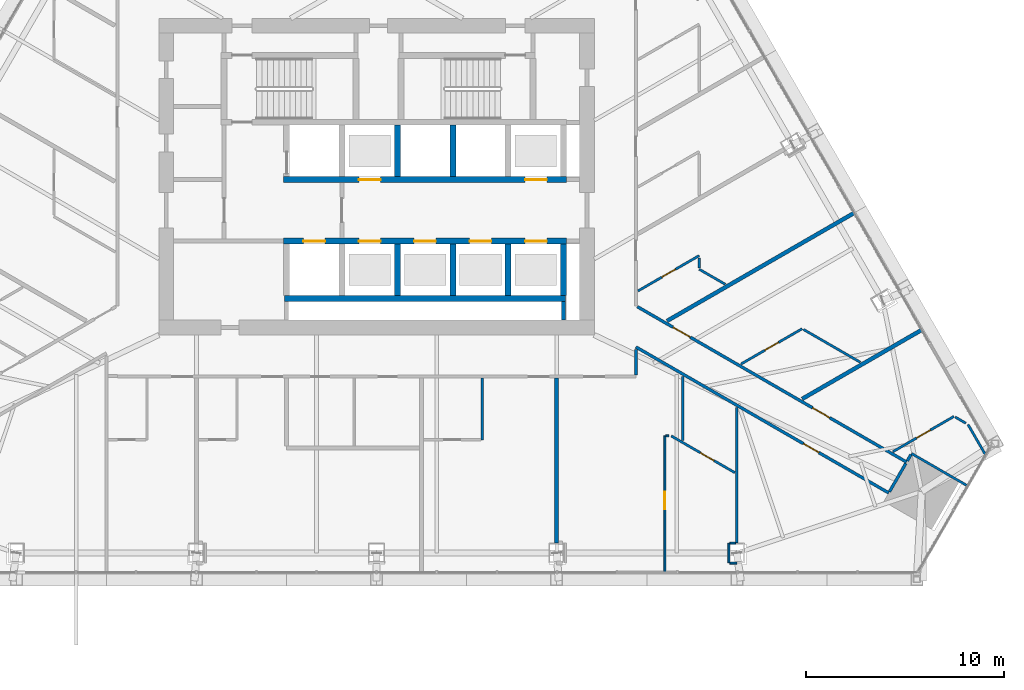
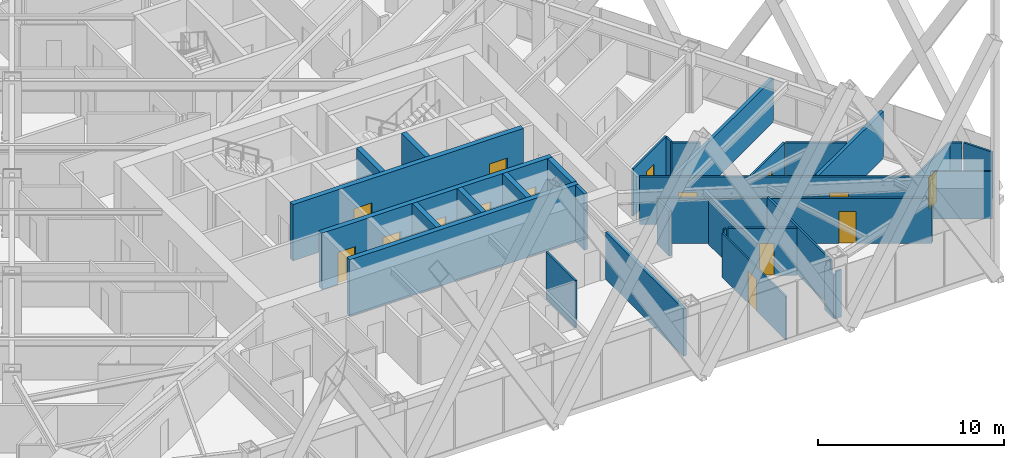
# One storey, part 17 of 26: 36 walls, 15 doors, 15 openings.
"""IFC4 building model written with IfcOpenShell, lengths in metres."""

from ifc_helpers import new_model, si_unit, direction, frame, frame_2d, origin, place, context, subcontext, project, spatial, rectangle, extrude, material, layer, layer_set, type_object, element, fill, save


model = new_model("IFC4")

# Units and contexts
model_context = context("Model", 3, precision=1e-05, world=origin(), true_north=direction((0.0, 1.0)))
body_context = subcontext(model_context, "Body", "Model", "MODEL_VIEW")
ifc_project = project(units=[si_unit("LENGTHUNIT", "METRE"), si_unit("AREAUNIT", "SQUARE_METRE"), si_unit("VOLUMEUNIT", "CUBIC_METRE"), si_unit("PLANEANGLEUNIT", "RADIAN"), si_unit("MASSUNIT", "GRAM", prefix="KILO")], contexts=[model_context])

# Site, building, storey
site_placement = place(None, origin())
site = spatial("IfcSite", under=ifc_project, at=site_placement, CompositionType="ELEMENT")
building_placement = place(site_placement, origin())
building = spatial("IfcBuilding", under=site, at=building_placement, Name="Firuza Gate Tower and Library", CompositionType="ELEMENT")
storey_placement = place(building_placement, frame((0.0, 0.0, 155.800048828125)))
storey = spatial("IfcBuildingStorey", under=building, at=storey_placement, Name="L35", CompositionType="ELEMENT", Elevation=155.800048828125)

# Walls
ifc_material_1 = material(Name="Plasterboard on steel studs", Category="steel")
ifc_layer_1 = layer(ifc_material_1, 0.199951171875)
ifc_layer_set_1 = layer_set([ifc_layer_1], Name="Core partition 200 EI 120")
wall_type_1 = type_object("IfcWallType", Name="Core partition 200 EI 120", PredefinedType="PARTITIONING", material=ifc_layer_set_1)
wall_1_placement = place(storey_placement, frame((84.449951171875, 67.75, 0.0), z_axis=(0.0, 0.0, 1.0), x_axis=(0.0, 1.0, 0.0)))
element("IfcWall", 1, at=wall_1_placement, inside=storey, type_object=wall_type_1, Name="Core partition L35 14", PredefinedType="PARTITIONING", context=body_context, shape_type="SweptSolid", body=[
    extrude(rectangle(XDim=0.949951171875, YDim=0.199951171875, at=frame_2d((0.47509765625, 0.0))), origin(), (0.0, 0.0, 1.0), 3.699951171875),
])
ifc_material_2 = material(Name="Concrete C80/95", Category="concrete")
ifc_layer_2 = layer(ifc_material_2, 0.300048828125)
ifc_layer_set_2 = layer_set([ifc_layer_2], Name="Core wall 300 C80/95")
wall_type_2 = type_object("IfcWallType", Name="Core wall 300 C80/95", PredefinedType="SHEAR", material=ifc_layer_set_2)
wall_2_placement = place(storey_placement, frame((70.35009765625, 68.85009765625, 0.0), z_axis=(0.0, 0.0, 1.0), x_axis=(1.0, 0.0, 0.0)))
element("IfcWall", 2, at=wall_2_placement, inside=storey, type_object=wall_type_2, Name="Core wall L35 5", PredefinedType="SHEAR", context=body_context, shape_type="SweptSolid", body=[
    extrude(rectangle(XDim=14.199951171875, YDim=0.300048828125, at=frame_2d((7.10009765625, 0.0))), origin(), (0.0, 0.0, 1.0), 3.699951171875),
])

# Wall, openings, doors
wall_3_placement = place(storey_placement, frame((70.300048828125, 71.75, 0.0), z_axis=(0.0, 0.0, 1.0), x_axis=(1.0, 0.0, 0.0)))
wall_3 = element("IfcWall", 3, at=wall_3_placement, inside=storey, type_object=wall_type_2, Name="Core wall L35 6", PredefinedType="SHEAR", context=body_context, shape_type="SweptSolid", body=[
    extrude(rectangle(XDim=14.300048828125, YDim=0.300048828125, at=frame_2d((7.14990234375, 0.0))), origin(), (0.0, 0.0, 1.0), 3.699951171875),
])
opening_1_placement = place(wall_3_placement, frame((1.0, 0.0, 0.0)))
opening_1 = element("IfcOpeningElement", 4, at=opening_1_placement, cuts=wall_3, Name="Opening LD-FF1-L35", PredefinedType="OPENING", context=body_context, shape_type="SweptSolid", body=[
    extrude(rectangle(XDim=1.10009765625, YDim=2.10009765625, at=frame_2d((0.550048828125, 1.050048828125))), frame((0.0, 0.16015625, 0.0), z_axis=(0.0, -1.0, 0.0), x_axis=(1.0, 0.0, 0.0)), (0.0, 0.0, 1.0), 0.320068359375),
])
opening_2_placement = place(wall_3_placement, frame((3.800048828125, 0.0, 0.0)))
opening_2 = element("IfcOpeningElement", 5, at=opening_2_placement, cuts=wall_3, Name="Opening LD-MR1-L35", PredefinedType="OPENING", context=body_context, shape_type="SweptSolid", body=[
    extrude(rectangle(XDim=1.10009765625, YDim=2.10009765625, at=frame_2d((0.550048828125, 1.050048828125))), frame((0.0, 0.16015625, 0.0), z_axis=(0.0, -1.0, 0.0), x_axis=(1.0, 0.0, 0.0)), (0.0, 0.0, 1.0), 0.320068359375),
])
opening_3_placement = place(wall_3_placement, frame((6.60009765625, 0.0, 0.0)))
opening_3 = element("IfcOpeningElement", 6, at=opening_3_placement, cuts=wall_3, Name="Opening LD-MR2-L35", PredefinedType="OPENING", context=body_context, shape_type="SweptSolid", body=[
    extrude(rectangle(XDim=1.10009765625, YDim=2.10009765625, at=frame_2d((0.550048828125, 1.050048828125))), frame((0.0, 0.16015625, 0.0), z_axis=(0.0, -1.0, 0.0), x_axis=(1.0, 0.0, 0.0)), (0.0, 0.0, 1.0), 0.320068359375),
])
opening_4_placement = place(wall_3_placement, frame((9.39990234375, 0.0, 0.0)))
opening_4 = element("IfcOpeningElement", 7, at=opening_4_placement, cuts=wall_3, Name="Opening LD-MR3-L35", PredefinedType="OPENING", context=body_context, shape_type="SweptSolid", body=[
    extrude(rectangle(XDim=1.10009765625, YDim=2.10009765625, at=frame_2d((0.550048828125, 1.050048828125))), frame((0.0, 0.16015625, 0.0), z_axis=(0.0, -1.0, 0.0), x_axis=(1.0, 0.0, 0.0)), (0.0, 0.0, 1.0), 0.320068359375),
])
opening_5_placement = place(wall_3_placement, frame((12.199951171875, 0.0, 0.0)))
opening_5 = element("IfcOpeningElement", 8, at=opening_5_placement, cuts=wall_3, Name="Opening LD-MR5-L35", PredefinedType="OPENING", context=body_context, shape_type="SweptSolid", body=[
    extrude(rectangle(XDim=1.10009765625, YDim=2.10009765625, at=frame_2d((0.550048828125, 1.050048828125))), frame((0.0, 0.16015625, 0.0), z_axis=(0.0, -1.0, 0.0), x_axis=(1.0, 0.0, 0.0)), (0.0, 0.0, 1.0), 0.320068359375),
])
ifc_material_3 = material(Name="Stainless steel", Category="steel")
door_type_1 = type_object("IfcDoorType", Name="Lift landing door 1100x2100", OperationType="DOUBLE_DOOR_SLIDING", PredefinedType="DOOR", material=ifc_material_3)
door_1_placement = place(opening_1_placement, origin())
door_1 = element("IfcDoor", 9, at=door_1_placement, inside=storey, type_object=door_type_1, Name="Landing door FF1 L35", OperationType="DOUBLE_DOOR_SLIDING", OverallHeight=2.10009765625, OverallWidth=1.10009765625, PredefinedType="DOOR", context=body_context, shape_type="SweptSolid", body=[
    extrude(rectangle(XDim=1.10009765625, YDim=2.10009765625, at=frame_2d((0.550048828125, 1.050048828125))), frame((0.0, 0.02490234375, 0.0), z_axis=(0.0, -1.0, 0.0), x_axis=(1.0, 0.0, 0.0)), (0.0, 0.0, 1.0), 0.050048828125),
])
fill(opening_1, door_1)
door_2_placement = place(opening_2_placement, origin())
door_2 = element("IfcDoor", 10, at=door_2_placement, inside=storey, type_object=door_type_1, Name="Landing door MR1 L35", OperationType="DOUBLE_DOOR_SLIDING", OverallHeight=2.10009765625, OverallWidth=1.10009765625, PredefinedType="DOOR", context=body_context, shape_type="SweptSolid", body=[
    extrude(rectangle(XDim=1.10009765625, YDim=2.10009765625, at=frame_2d((0.550048828125, 1.050048828125))), frame((0.0, 0.02490234375, 0.0), z_axis=(0.0, -1.0, 0.0), x_axis=(1.0, 0.0, 0.0)), (0.0, 0.0, 1.0), 0.050048828125),
])
fill(opening_2, door_2)
door_3_placement = place(opening_3_placement, origin())
door_3 = element("IfcDoor", 11, at=door_3_placement, inside=storey, type_object=door_type_1, Name="Landing door MR2 L35", OperationType="DOUBLE_DOOR_SLIDING", OverallHeight=2.10009765625, OverallWidth=1.10009765625, PredefinedType="DOOR", context=body_context, shape_type="SweptSolid", body=[
    extrude(rectangle(XDim=1.10009765625, YDim=2.10009765625, at=frame_2d((0.550048828125, 1.050048828125))), frame((0.0, 0.02490234375, 0.0), z_axis=(0.0, -1.0, 0.0), x_axis=(1.0, 0.0, 0.0)), (0.0, 0.0, 1.0), 0.050048828125),
])
fill(opening_3, door_3)
door_4_placement = place(opening_4_placement, origin())
door_4 = element("IfcDoor", 12, at=door_4_placement, inside=storey, type_object=door_type_1, Name="Landing door MR3 L35", OperationType="DOUBLE_DOOR_SLIDING", OverallHeight=2.10009765625, OverallWidth=1.10009765625, PredefinedType="DOOR", context=body_context, shape_type="SweptSolid", body=[
    extrude(rectangle(XDim=1.10009765625, YDim=2.10009765625, at=frame_2d((0.550048828125, 1.050048828125))), frame((0.0, 0.02490234375, 0.0), z_axis=(0.0, -1.0, 0.0), x_axis=(1.0, 0.0, 0.0)), (0.0, 0.0, 1.0), 0.050048828125),
])
fill(opening_4, door_4)
door_5_placement = place(opening_5_placement, origin())
door_5 = element("IfcDoor", 13, at=door_5_placement, inside=storey, type_object=door_type_1, Name="Landing door MR5 L35", OperationType="DOUBLE_DOOR_SLIDING", OverallHeight=2.10009765625, OverallWidth=1.10009765625, PredefinedType="DOOR", context=body_context, shape_type="SweptSolid", body=[
    extrude(rectangle(XDim=1.10009765625, YDim=2.10009765625, at=frame_2d((0.550048828125, 1.050048828125))), frame((0.0, 0.02490234375, 0.0), z_axis=(0.0, -1.0, 0.0), x_axis=(1.0, 0.0, 0.0)), (0.0, 0.0, 1.0), 0.050048828125),
])
fill(opening_5, door_5)

wall_4_placement = place(storey_placement, frame((70.300048828125, 74.85009765625, 0.0), z_axis=(0.0, 0.0, 1.0), x_axis=(1.0, 0.0, 0.0)))
wall_4 = element("IfcWall", 14, at=wall_4_placement, inside=storey, type_object=wall_type_2, Name="Core wall L35 7", PredefinedType="SHEAR", context=body_context, shape_type="SweptSolid", body=[
    extrude(rectangle(XDim=14.300048828125, YDim=0.300048828125, at=frame_2d((7.14990234375, 0.0))), origin(), (0.0, 0.0, 1.0), 3.699951171875),
])
opening_6_placement = place(wall_4_placement, frame((3.800048828125, 0.0, 0.0)))
opening_6 = element("IfcOpeningElement", 15, at=opening_6_placement, cuts=wall_4, Name="Opening LD-MR4-L35", PredefinedType="OPENING", context=body_context, shape_type="SweptSolid", body=[
    extrude(rectangle(XDim=1.10009765625, YDim=2.10009765625, at=frame_2d((0.550048828125, 1.050048828125))), frame((0.0, 0.16015625, 0.0), z_axis=(0.0, -1.0, 0.0), x_axis=(1.0, 0.0, 0.0)), (0.0, 0.0, 1.0), 0.320068359375),
])
opening_7_placement = place(wall_4_placement, frame((12.199951171875, 0.0, 0.0)))
opening_7 = element("IfcOpeningElement", 16, at=opening_7_placement, cuts=wall_4, Name="Opening LD-MR6-L35", PredefinedType="OPENING", context=body_context, shape_type="SweptSolid", body=[
    extrude(rectangle(XDim=1.10009765625, YDim=2.10009765625, at=frame_2d((0.550048828125, 1.050048828125))), frame((0.0, 0.16015625, 0.0), z_axis=(0.0, -1.0, 0.0), x_axis=(1.0, 0.0, 0.0)), (0.0, 0.0, 1.0), 0.320068359375),
])
door_6_placement = place(opening_6_placement, origin())
door_6 = element("IfcDoor", 17, at=door_6_placement, inside=storey, type_object=door_type_1, Name="Landing door MR4 L35", OperationType="DOUBLE_DOOR_SLIDING", OverallHeight=2.10009765625, OverallWidth=1.10009765625, PredefinedType="DOOR", context=body_context, shape_type="SweptSolid", body=[
    extrude(rectangle(XDim=1.10009765625, YDim=2.10009765625, at=frame_2d((0.550048828125, 1.050048828125))), frame((0.0, 0.02490234375, 0.0), z_axis=(0.0, -1.0, 0.0), x_axis=(1.0, 0.0, 0.0)), (0.0, 0.0, 1.0), 0.050048828125),
])
fill(opening_6, door_6)
door_7_placement = place(opening_7_placement, origin())
door_7 = element("IfcDoor", 18, at=door_7_placement, inside=storey, type_object=door_type_1, Name="Landing door MR6 L35", OperationType="DOUBLE_DOOR_SLIDING", OverallHeight=2.10009765625, OverallWidth=1.10009765625, PredefinedType="DOOR", context=body_context, shape_type="SweptSolid", body=[
    extrude(rectangle(XDim=1.10009765625, YDim=2.10009765625, at=frame_2d((0.550048828125, 1.050048828125))), frame((0.0, 0.02490234375, 0.0), z_axis=(0.0, -1.0, 0.0), x_axis=(1.0, 0.0, 0.0)), (0.0, 0.0, 1.0), 0.050048828125),
])
fill(opening_7, door_7)

# Walls
for number, where, z_axis, x_axis, name in (
    (19, (76.050048828125, 69.0, 0.0), (0.0, 0.0, 1.0), (0.0, 1.0, 0.0), "Core wall L35 12"),
    (20, (76.050048828125, 75.0, 0.0), (0.0, 0.0, 1.0), (0.0, 1.0, 0.0), "Core wall L35 13"),
    (21, (78.85009765625, 69.0, 0.0), (0.0, 0.0, 1.0), (0.0, 1.0, 0.0), "Core wall L35 14"),
    (22, (78.85009765625, 75.0, 0.0), (0.0, 0.0, 1.0), (0.0, 1.0, 0.0), "Core wall L35 15"),
    (23, (81.64990234375, 69.0, 0.0), (0.0, 0.0, 1.0), (0.0, 1.0, 0.0), "Core wall L35 16"),
    (24, (84.449951171875, 69.0, 0.0), (0.0, 0.0, 1.0), (0.0, 1.0, 0.0), "Core wall L35 18"),
):
    element("IfcWall", number, at=place(storey_placement, frame(where, z_axis=z_axis, x_axis=x_axis)), inside=storey, type_object=wall_type_2, Name=name, PredefinedType="SHEAR", context=body_context, shape_type="SweptSolid", body=[
        extrude(rectangle(XDim=2.60009765625, YDim=0.300048828125, at=frame_2d((1.300048828125, 0.0))), origin(), (0.0, 0.0, 1.0), 3.699951171875),
    ])
ifc_material_4 = material(Name="Gypsum board partition")
ifc_layer_3 = layer(ifc_material_4, 0.14990234375)
ifc_layer_set_3 = layer_set([ifc_layer_3], Name="Corridor wall 150 double board on steel studs")
wall_type_3 = type_object("IfcWallType", Name="Corridor wall 150 double board on steel studs", PredefinedType="PARTITIONING", material=ifc_layer_set_3)
wall_5_placement = place(storey_placement, frame((100.916748046875, 59.0849609375, 0.0), z_axis=(0.0, 0.0, 1.0), x_axis=(0.499991515992, 0.866030301974, 0.0)))
element("IfcWall", 25, at=wall_5_placement, inside=storey, type_object=wall_type_3, Name="f:L35:w049", PredefinedType="PARTITIONING", context=body_context, shape_type="SweptSolid", body=[
    extrude(rectangle(XDim=1.6494140625, YDim=0.14990234375, at=frame_2d((0.82470703125, 0.0))), origin(), (0.0, 0.0, 1.0), 2.947021484375),
])
wall_6_placement = place(storey_placement, frame((88.10009765625, 64.97509765625, 0.0), z_axis=(0.0, 0.0, 1.0), x_axis=(0.0, 1.0, 0.0)))
element("IfcWall", 26, at=wall_6_placement, inside=storey, type_object=wall_type_3, Name="f:L35:w059", PredefinedType="PARTITIONING", context=body_context, shape_type="SweptSolid", body=[
    extrude(rectangle(XDim=1.285888671875, YDim=0.14990234375, at=frame_2d((0.64306640625, 0.0))), origin(), (0.0, 0.0, 1.0), 2.947021484375),
])

# Wall, openings, doors
wall_7_placement = place(storey_placement, frame((88.175048828125, 68.4326171875, 0.0), z_axis=(0.0, 0.0, 1.0), x_axis=(0.866028999927, -0.499993771247, 0.0)))
wall_7 = element("IfcWall", 27, at=wall_7_placement, inside=storey, type_object=wall_type_3, Name="f:L35:w106", PredefinedType="PARTITIONING", context=body_context, shape_type="SweptSolid", body=[
    extrude(rectangle(XDim=15.708251953125, YDim=0.14990234375, at=frame_2d((7.85400390625, 0.0))), origin(), (0.0, 0.0, 1.0), 3.099853515625),
])
opening_8_placement = place(wall_7_placement, frame((2.0859375, 0.0, 0.0)))
opening_8 = element("IfcOpeningElement", 28, at=opening_8_placement, cuts=wall_7, Name="Opening L35-45", PredefinedType="OPENING", context=body_context, shape_type="SweptSolid", body=[
    extrude(rectangle(XDim=1.0, YDim=2.10009765625, at=frame_2d((0.5, 1.050048828125))), frame((0.0, 0.0849609375, 0.0), z_axis=(0.0, -1.0, 0.0), x_axis=(1.0, 0.0, 0.0)), (0.0, 0.0, 1.0), 0.169921875),
])
opening_9_placement = place(wall_7_placement, frame((10.221923828125, 0.0, 0.0)))
opening_9 = element("IfcOpeningElement", 29, at=opening_9_placement, cuts=wall_7, Name="Opening L35-46", PredefinedType="OPENING", context=body_context, shape_type="SweptSolid", body=[
    extrude(rectangle(XDim=1.0, YDim=2.10009765625, at=frame_2d((0.5, 1.050048828125))), frame((0.0, 0.0849609375, 0.0), z_axis=(0.0, -1.0, 0.0), x_axis=(1.0, 0.0, 0.0)), (0.0, 0.0, 1.0), 0.169921875),
])
ifc_material_5 = material(Name="Steel door and timber leaf", Category="steel")
door_type_2 = type_object("IfcDoorType", Name="Fire door 1000 x 2100 steel frame, timber leaf", OperationType="NOTDEFINED", PredefinedType="DOOR", material=ifc_material_5)
door_8_placement = place(opening_8_placement, origin())
door_8 = element("IfcDoor", 30, at=door_8_placement, inside=storey, type_object=door_type_2, Name="f:L35:d045", OperationType="SINGLE_SWING_LEFT", OverallHeight=2.10009765625, OverallWidth=1.0, PredefinedType="DOOR", context=body_context, shape_type="SweptSolid", body=[
    extrude(rectangle(XDim=1.0, YDim=2.10009765625, at=frame_2d((0.5, 1.050048828125))), frame((0.0, 0.02490234375, 0.0), z_axis=(0.0, -1.0, 0.0), x_axis=(1.0, 0.0, 0.0)), (0.0, 0.0, 1.0), 0.050048828125),
])
fill(opening_8, door_8)
door_9_placement = place(opening_9_placement, origin())
door_9 = element("IfcDoor", 31, at=door_9_placement, inside=storey, type_object=door_type_2, Name="f:L35:d046", OperationType="SINGLE_SWING_LEFT", OverallHeight=2.10009765625, OverallWidth=1.0, PredefinedType="DOOR", context=body_context, shape_type="SweptSolid", body=[
    extrude(rectangle(XDim=1.0, YDim=2.10009765625, at=frame_2d((0.5, 1.050048828125))), frame((0.0, 0.02490234375, 0.0), z_axis=(0.0, -1.0, 0.0), x_axis=(1.0, 0.0, 0.0)), (0.0, 0.0, 1.0), 0.050048828125),
])
fill(opening_9, door_9)

# Wall, opening, door
wall_8_placement = place(storey_placement, frame((100.87841796875, 59.02001953125, 0.0), z_axis=(0.0, 0.0, 1.0), x_axis=(-0.866029079904, 0.49999363272, 0.0)))
wall_8 = element("IfcWall", 32, at=wall_8_placement, inside=storey, type_object=wall_type_3, Name="f:L35:w109", PredefinedType="PARTITIONING", context=body_context, shape_type="SweptSolid", body=[
    extrude(rectangle(XDim=14.755126953125, YDim=0.14990234375, at=frame_2d((7.37744140625, 0.0))), origin(), (0.0, 0.0, 1.0), 2.947021484375),
])
opening_10_placement = place(wall_8_placement, frame((4.08447265625, 0.0, 0.0)))
opening_10 = element("IfcOpeningElement", 33, at=opening_10_placement, cuts=wall_8, Name="Opening L35-47", PredefinedType="OPENING", context=body_context, shape_type="SweptSolid", body=[
    extrude(rectangle(XDim=0.89990234375, YDim=2.10009765625, at=frame_2d((0.449951171875, 1.050048828125))), frame((0.0, 0.0849609375, 0.0), z_axis=(0.0, -1.0, 0.0), x_axis=(1.0, 0.0, 0.0)), (0.0, 0.0, 1.0), 0.169921875),
])
ifc_material_6 = material(Name="Steel door and timber leaf", Category="steel")
door_type_3 = type_object("IfcDoorType", Name="Fire door 900 x 2100 steel frame, timber leaf", OperationType="NOTDEFINED", PredefinedType="DOOR", material=ifc_material_6)
door_10_placement = place(opening_10_placement, origin())
door_10 = element("IfcDoor", 34, at=door_10_placement, inside=storey, type_object=door_type_3, Name="f:L35:d047", OperationType="SINGLE_SWING_LEFT", OverallHeight=2.10009765625, OverallWidth=0.89990234375, PredefinedType="DOOR", context=body_context, shape_type="SweptSolid", body=[
    extrude(rectangle(XDim=0.89990234375, YDim=2.10009765625, at=frame_2d((0.449951171875, 1.050048828125))), frame((0.0, 0.02490234375, 0.0), z_axis=(0.0, -1.0, 0.0), x_axis=(1.0, 0.0, 0.0)), (0.0, 0.0, 1.0), 0.050048828125),
])
fill(opening_10, door_10)

# Walls
wall_9_placement = place(storey_placement, frame((101.816650390625, 60.643310546875, 0.0), z_axis=(0.0, 0.0, 1.0), x_axis=(0.499741784413, 0.866174433305, 0.0)))
element("IfcWall", 35, at=wall_9_placement, inside=storey, type_object=wall_type_3, Name="f:L35:w120", PredefinedType="PARTITIONING", context=body_context, shape_type="SweptSolid", body=[
    extrude(rectangle(XDim=0.364501953125, YDim=0.14990234375, at=frame_2d((0.18212890625, 0.0))), origin(), (0.0, 0.0, 1.0), 3.099853515625),
])
ifc_material_7 = material(Name="Gypsum board partition")
ifc_layer_4 = layer(ifc_material_7, 0.199951171875)
ifc_layer_set_4 = layer_set([ifc_layer_4], Name="Demising wall 200 acoustic double stud")
wall_type_4 = type_object("IfcWallType", Name="Demising wall 200 acoustic double stud", PredefinedType="PARTITIONING", material=ifc_layer_set_4)
wall_10_placement = place(storey_placement, frame((96.501953125, 63.771728515625, 0.0), z_axis=(0.0, 0.0, 1.0), x_axis=(0.866014709899, 0.500018521895, 0.0)))
element("IfcWall", 36, at=wall_10_placement, inside=storey, type_object=wall_type_4, Name="f:L35:w026", PredefinedType="PARTITIONING", context=body_context, shape_type="SweptSolid", body=[
    extrude(rectangle(XDim=6.971435546875, YDim=0.199951171875, at=frame_2d((3.48583984375, 0.0))), origin(), (0.0, 0.0, 1.0), 3.099853515625),
])
wall_11_placement = place(storey_placement, frame((89.677001953125, 67.712158203125, 0.0), z_axis=(0.0, 0.0, 1.0), x_axis=(0.866020529357, 0.500008442661, 0.0)))
element("IfcWall", 37, at=wall_11_placement, inside=storey, type_object=wall_type_4, Name="f:L35:w028", PredefinedType="PARTITIONING", context=body_context, shape_type="SweptSolid", body=[
    extrude(rectangle(XDim=10.911865234375, YDim=0.199951171875, at=frame_2d((5.4560546875, 0.0))), origin(), (0.0, 0.0, 1.0), 2.864990234375),
])
wall_12_placement = place(storey_placement, frame((84.10009765625, 56.4814453125, 0.0), z_axis=(0.0, 0.0, 1.0), x_axis=(0.0, 1.0, 0.0)))
element("IfcWall", 38, at=wall_12_placement, inside=storey, type_object=wall_type_4, Name="f:L35:w062", PredefinedType="PARTITIONING", context=body_context, shape_type="SweptSolid", body=[
    extrude(rectangle(XDim=8.343505859375, YDim=0.199951171875, at=frame_2d((4.171875, 0.0))), origin(), (0.0, 0.0, 1.0), 3.099853515625),
])
ifc_material_8 = material(Name="Gypsum board partition")
ifc_layer_5 = layer(ifc_material_8, 0.10009765625)
ifc_layer_set_5 = layer_set([ifc_layer_5], Name="Partition 100 gypsum board on steel studs")
wall_type_5 = type_object("IfcWallType", Name="Partition 100 gypsum board on steel studs", PredefinedType="PARTITIONING", material=ifc_layer_set_5)
wall_13_placement = place(storey_placement, frame((92.8505859375, 55.48095703125, 0.0), z_axis=(0.0, 0.0, 1.0), x_axis=(1.0, 0.0, 0.0)))
element("IfcWall", 39, at=wall_13_placement, inside=storey, type_object=wall_type_5, Name="f:L35:w002", PredefinedType="PARTITIONING", context=body_context, shape_type="SweptSolid", body=[
    extrude(rectangle(XDim=0.348876953125, YDim=0.10009765625, at=frame_2d((0.17431640625, 0.0))), origin(), (0.0, 0.0, 1.0), 3.099853515625),
])
wall_14_placement = place(storey_placement, frame((92.8505859375, 56.48095703125, 0.0), z_axis=(0.0, 0.0, 1.0), x_axis=(1.0, 0.0, 0.0)))
element("IfcWall", 40, at=wall_14_placement, inside=storey, type_object=wall_type_5, Name="f:L35:w005", PredefinedType="PARTITIONING", context=body_context, shape_type="SweptSolid", body=[
    extrude(rectangle(XDim=0.288818359375, YDim=0.10009765625, at=frame_2d((0.14453125, 0.0))), origin(), (0.0, 0.0, 1.0), 3.099853515625),
])
wall_15_placement = place(storey_placement, frame((89.610107421875, 61.89990234375, 0.0), z_axis=(0.0, 0.0, 1.0), x_axis=(1.0, 0.0, 0.0)))
element("IfcWall", 41, at=wall_15_placement, inside=storey, type_object=wall_type_5, Name="f:L35:w010", PredefinedType="PARTITIONING", context=body_context, shape_type="SweptSolid", body=[
    extrude(rectangle(XDim=0.15966796875, YDim=0.10009765625, at=frame_2d((0.079833984375, 0.0))), origin(), (0.0, 0.0, 1.0), 3.099853515625),
])
wall_16_placement = place(storey_placement, frame((92.800048828125, 55.48193359375, 0.0), z_axis=(0.0, 0.0, 1.0), x_axis=(0.0, 1.0, 0.0)))
element("IfcWall", 42, at=wall_16_placement, inside=storey, type_object=wall_type_5, Name="f:L35:w053", PredefinedType="PARTITIONING", context=body_context, shape_type="SweptSolid", body=[
    extrude(rectangle(XDim=0.9990234375, YDim=0.10009765625, at=frame_2d((0.49951171875, 0.0))), origin(), (0.0, 0.0, 1.0), 2.864990234375),
])

# Wall, opening, door
wall_17_placement = place(storey_placement, frame((89.56005859375, 61.89990234375, 0.0), z_axis=(0.0, 0.0, 1.0), x_axis=(0.0, -1.0, 0.0)))
wall_17 = element("IfcWall", 43, at=wall_17_placement, inside=storey, type_object=wall_type_5, Name="f:L35:w058", PredefinedType="PARTITIONING", context=body_context, shape_type="SweptSolid", body=[
    extrude(rectangle(XDim=6.861572265625, YDim=0.10009765625, at=frame_2d((3.4306640625, 0.0))), origin(), (0.0, 0.0, 1.0), 2.864990234375),
])
opening_11_placement = place(wall_17_placement, frame((2.809326171875, 0.0, 0.0)))
opening_11 = element("IfcOpeningElement", 44, at=opening_11_placement, cuts=wall_17, Name="Opening L35-29", PredefinedType="OPENING", context=body_context, shape_type="SweptSolid", body=[
    extrude(rectangle(XDim=0.89990234375, YDim=2.10009765625, at=frame_2d((0.449951171875, 1.050048828125))), frame((0.0, 0.06005859375, 0.0), z_axis=(0.0, -1.0, 0.0), x_axis=(1.0, 0.0, 0.0)), (0.0, 0.0, 1.0), 0.1201171875),
])
ifc_material_9 = material(Name="Timber door", Category="wood")
door_type_4 = type_object("IfcDoorType", Name="Door 900 x 2100 timber leaf", OperationType="NOTDEFINED", PredefinedType="DOOR", material=ifc_material_9)
door_11_placement = place(opening_11_placement, origin())
door_11 = element("IfcDoor", 45, at=door_11_placement, inside=storey, type_object=door_type_4, Name="f:L35:d029", OperationType="SINGLE_SWING_RIGHT", OverallHeight=2.10009765625, OverallWidth=0.89990234375, PredefinedType="DOOR", context=body_context, shape_type="SweptSolid", body=[
    extrude(rectangle(XDim=0.89990234375, YDim=2.10009765625, at=frame_2d((0.449951171875, 1.050048828125))), frame((0.0, 0.02490234375, 0.0), z_axis=(0.0, -1.0, 0.0), x_axis=(1.0, 0.0, 0.0)), (0.0, 0.0, 1.0), 0.050048828125),
])
fill(opening_11, door_11)

ifc_material_10 = material(Name="Gypsum board partition")
ifc_layer_6 = layer(ifc_material_10, 0.1201171875)
ifc_layer_set_6 = layer_set([ifc_layer_6], Name="Wet-area partition 120 moisture-resistant board")
wall_type_6 = type_object("IfcWallType", Name="Wet-area partition 120 moisture-resistant board", PredefinedType="PARTITIONING", material=ifc_layer_set_6)
wall_18_placement = place(storey_placement, frame((104.17578125, 62.8896484375, 0.0), z_axis=(0.0, 0.0, 1.0), x_axis=(-0.865998731726, -0.500046194516, 0.0)))
wall_18 = element("IfcWall", 46, at=wall_18_placement, inside=storey, type_object=wall_type_6, Name="f:L35:w025", PredefinedType="PARTITIONING", context=body_context, shape_type="SweptSolid", body=[
    extrude(rectangle(XDim=3.568603515625, YDim=0.1201171875, at=frame_2d((1.7841796875, 0.0))), origin(), (0.0, 0.0, 1.0), 3.099853515625),
])
opening_12_placement = place(wall_18_placement, frame((1.38427734375, 0.0, 0.0)))
opening_12 = element("IfcOpeningElement", 47, at=opening_12_placement, cuts=wall_18, Name="Opening L35-14", PredefinedType="OPENING", context=body_context, shape_type="SweptSolid", body=[
    extrude(rectangle(XDim=0.800048828125, YDim=2.10009765625, at=frame_2d((0.39990234375, 1.050048828125))), frame((0.0, 0.070068359375, 0.0), z_axis=(0.0, -1.0, 0.0), x_axis=(1.0, 0.0, 0.0)), (0.0, 0.0, 1.0), 0.14013671875),
])
ifc_material_11 = material(Name="Timber door", Category="wood")
door_type_5 = type_object("IfcDoorType", Name="Door 800 x 2100 timber leaf", OperationType="NOTDEFINED", PredefinedType="DOOR", material=ifc_material_11)
door_12_placement = place(opening_12_placement, origin())
door_12 = element("IfcDoor", 48, at=door_12_placement, inside=storey, type_object=door_type_5, Name="f:L35:d014", OperationType="SINGLE_SWING_RIGHT", OverallHeight=2.10009765625, OverallWidth=0.800048828125, PredefinedType="DOOR", context=body_context, shape_type="SweptSolid", body=[
    extrude(rectangle(XDim=0.800048828125, YDim=2.10009765625, at=frame_2d((0.39990234375, 1.050048828125))), frame((0.0, 0.02490234375, 0.0), z_axis=(0.0, -1.0, 0.0), x_axis=(1.0, 0.0, 0.0)), (0.0, 0.0, 1.0), 0.050048828125),
])
fill(opening_12, door_12)

wall_19_placement = place(storey_placement, frame((96.50390625, 67.31884765625, 0.0), z_axis=(0.0, 0.0, 1.0), x_axis=(-0.866028357664, -0.499994883695, 0.0)))
wall_19 = element("IfcWall", 49, at=wall_19_placement, inside=storey, type_object=wall_type_6, Name="f:L35:w027", PredefinedType="PARTITIONING", context=body_context, shape_type="SweptSolid", body=[
    extrude(rectangle(XDim=3.568359375, YDim=0.1201171875, at=frame_2d((1.7841796875, 0.0))), origin(), (0.0, 0.0, 1.0), 3.099853515625),
])
opening_13_placement = place(wall_19_placement, frame((1.38427734375, 0.0, 0.0)))
opening_13 = element("IfcOpeningElement", 50, at=opening_13_placement, cuts=wall_19, Name="Opening L35-15", PredefinedType="OPENING", context=body_context, shape_type="SweptSolid", body=[
    extrude(rectangle(XDim=0.800048828125, YDim=2.10009765625, at=frame_2d((0.39990234375, 1.050048828125))), frame((0.0, 0.070068359375, 0.0), z_axis=(0.0, -1.0, 0.0), x_axis=(1.0, 0.0, 0.0)), (0.0, 0.0, 1.0), 0.14013671875),
])
door_13_placement = place(opening_13_placement, origin())
door_13 = element("IfcDoor", 51, at=door_13_placement, inside=storey, type_object=door_type_5, Name="f:L35:d015", OperationType="SINGLE_SWING_RIGHT", OverallHeight=2.10009765625, OverallWidth=0.800048828125, PredefinedType="DOOR", context=body_context, shape_type="SweptSolid", body=[
    extrude(rectangle(XDim=0.800048828125, YDim=2.10009765625, at=frame_2d((0.39990234375, 1.050048828125))), frame((0.0, 0.02490234375, 0.0), z_axis=(0.0, -1.0, 0.0), x_axis=(1.0, 0.0, 0.0)), (0.0, 0.0, 1.0), 0.050048828125),
])
fill(opening_13, door_13)

wall_20_placement = place(storey_placement, frame((91.30029296875, 71.012939453125, 0.0), z_axis=(0.0, 0.0, 1.0), x_axis=(-0.866028357664, -0.499994883695, 0.0)))
wall_20 = element("IfcWall", 52, at=wall_20_placement, inside=storey, type_object=wall_type_6, Name="f:L35:w029", PredefinedType="PARTITIONING", context=body_context, shape_type="SweptSolid", body=[
    extrude(rectangle(XDim=3.568359375, YDim=0.1201171875, at=frame_2d((1.7841796875, 0.0))), origin(), (0.0, 0.0, 1.0), 3.099853515625),
])
opening_14_placement = place(wall_20_placement, frame((1.38427734375, 0.0, 0.0)))
opening_14 = element("IfcOpeningElement", 53, at=opening_14_placement, cuts=wall_20, Name="Opening L35-16", PredefinedType="OPENING", context=body_context, shape_type="SweptSolid", body=[
    extrude(rectangle(XDim=0.800048828125, YDim=2.10009765625, at=frame_2d((0.39990234375, 1.050048828125))), frame((0.0, 0.070068359375, 0.0), z_axis=(0.0, -1.0, 0.0), x_axis=(1.0, 0.0, 0.0)), (0.0, 0.0, 1.0), 0.14013671875),
])
door_14_placement = place(opening_14_placement, origin())
door_14 = element("IfcDoor", 54, at=door_14_placement, inside=storey, type_object=door_type_5, Name="f:L35:d016", OperationType="SINGLE_SWING_RIGHT", OverallHeight=2.10009765625, OverallWidth=0.800048828125, PredefinedType="DOOR", context=body_context, shape_type="SweptSolid", body=[
    extrude(rectangle(XDim=0.800048828125, YDim=2.10009765625, at=frame_2d((0.39990234375, 1.050048828125))), frame((0.0, 0.02490234375, 0.0), z_axis=(0.0, -1.0, 0.0), x_axis=(1.0, 0.0, 0.0)), (0.0, 0.0, 1.0), 0.050048828125),
])
fill(opening_14, door_14)

# Walls
wall_21_placement = place(storey_placement, frame((93.199951171875, 56.48193359375, 0.0), z_axis=(0.0, 0.0, 1.0), x_axis=(0.0, 1.0, 0.0)))
element("IfcWall", 55, at=wall_21_placement, inside=storey, type_object=wall_type_6, Name="f:L35:w052", PredefinedType="PARTITIONING", context=body_context, shape_type="SweptSolid", body=[
    extrude(rectangle(XDim=6.844482421875, YDim=0.1201171875, at=frame_2d((3.42236328125, 0.0))), origin(), (0.0, 0.0, 1.0), 3.099853515625),
])
wall_22_placement = place(storey_placement, frame((91.300048828125, 70.392822265625, 0.0), z_axis=(0.0, 0.0, 1.0), x_axis=(0.0, 1.0, 0.0)))
element("IfcWall", 56, at=wall_22_placement, inside=storey, type_object=wall_type_6, Name="f:L35:w054", PredefinedType="PARTITIONING", context=body_context, shape_type="SweptSolid", body=[
    extrude(rectangle(XDim=0.51123046875, YDim=0.1201171875, at=frame_2d((0.255615234375, 0.0))), origin(), (0.0, 0.0, 1.0), 3.099853515625),
])
wall_23_placement = place(storey_placement, frame((90.469970703125, 61.67431640625, 0.0), z_axis=(0.0, 0.0, 1.0), x_axis=(0.0, 1.0, 0.0)))
element("IfcWall", 57, at=wall_23_placement, inside=storey, type_object=wall_type_6, Name="f:L35:w057", PredefinedType="PARTITIONING", context=body_context, shape_type="SweptSolid", body=[
    extrude(rectangle(XDim=3.228271484375, YDim=0.1201171875, at=frame_2d((1.6142578125, 0.0))), origin(), (0.0, 0.0, 1.0), 2.947021484375),
])
wall_24_placement = place(storey_placement, frame((80.345947265625, 61.699951171875, 0.0), z_axis=(0.0, 0.0, 1.0), x_axis=(0.0, 1.0, 0.0)))
element("IfcWall", 58, at=wall_24_placement, inside=storey, type_object=wall_type_6, Name="f:L35:w065", PredefinedType="PARTITIONING", context=body_context, shape_type="SweptSolid", body=[
    extrude(rectangle(XDim=3.125, YDim=0.1201171875, at=frame_2d((1.5625, 0.0))), origin(), (0.0, 0.0, 1.0), 3.099853515625),
])
wall_25_placement = place(storey_placement, frame((105.76123046875, 60.956298828125, 0.0), z_axis=(0.0, 0.0, 1.0), x_axis=(-0.500042189638, 0.866001044215, 0.0)))
element("IfcWall", 59, at=wall_25_placement, inside=storey, type_object=wall_type_6, Name="f:L35:w088", PredefinedType="PARTITIONING", context=body_context, shape_type="SweptSolid", body=[
    extrude(rectangle(XDim=1.762451171875, YDim=0.1201171875, at=frame_2d((0.88134765625, 0.0))), origin(), (0.0, 0.0, 1.0), 3.099853515625),
])
wall_26_placement = place(storey_placement, frame((104.776611328125, 62.54296875, 0.0), z_axis=(0.0, 0.0, 1.0), x_axis=(-0.866166054807, 0.499756306114, 0.0)))
element("IfcWall", 60, at=wall_26_placement, inside=storey, type_object=wall_type_6, Name="f:L35:w101", PredefinedType="PARTITIONING", context=body_context, shape_type="SweptSolid", body=[
    extrude(rectangle(XDim=0.624267578125, YDim=0.1201171875, at=frame_2d((0.31201171875, 0.0))), origin(), (0.0, 0.0, 1.0), 3.099853515625),
])
wall_27_placement = place(storey_placement, frame((99.4404296875, 65.623779296875, 0.0), z_axis=(0.0, 0.0, 1.0), x_axis=(-0.866054626172, 0.499949381925, 0.0)))
element("IfcWall", 61, at=wall_27_placement, inside=storey, type_object=wall_type_6, Name="f:L35:w102", PredefinedType="PARTITIONING", context=body_context, shape_type="SweptSolid", body=[
    extrude(rectangle(XDim=3.321533203125, YDim=0.1201171875, at=frame_2d((1.66064453125, 0.0))), origin(), (0.0, 0.0, 1.0), 3.099853515625),
])
wall_28_placement = place(storey_placement, frame((92.615478515625, 69.564208984375, 0.0), z_axis=(0.0, 0.0, 1.0), x_axis=(-0.866078523702, 0.499907982315, 0.0)))
element("IfcWall", 62, at=wall_28_placement, inside=storey, type_object=wall_type_6, Name="f:L35:w103", PredefinedType="PARTITIONING", context=body_context, shape_type="SweptSolid", body=[
    extrude(rectangle(XDim=1.518798828125, YDim=0.1201171875, at=frame_2d((0.75927734375, 0.0))), origin(), (0.0, 0.0, 1.0), 3.099853515625),
])
wall_29_placement = place(storey_placement, frame((104.85205078125, 59.381591796875, 0.0), z_axis=(0.0, 0.0, 1.0), x_axis=(-0.866003472149, 0.500037984783, 0.0)))
element("IfcWall", 63, at=wall_29_placement, inside=storey, type_object=wall_type_6, Name="f:L35:w105", PredefinedType="PARTITIONING", context=body_context, shape_type="SweptSolid", body=[
    extrude(rectangle(XDim=3.259521484375, YDim=0.1201171875, at=frame_2d((1.6298828125, 0.0))), origin(), (0.0, 0.0, 1.0), 3.099853515625),
])

# Wall, opening, door
wall_30_placement = place(storey_placement, frame((89.889892578125, 61.900146484375, 0.0), z_axis=(0.0, 0.0, 1.0), x_axis=(0.866033387068, -0.499986172292, 0.0)))
wall_30 = element("IfcWall", 64, at=wall_30_placement, inside=storey, type_object=wall_type_6, Name="f:L35:w111", PredefinedType="PARTITIONING", context=body_context, shape_type="SweptSolid", body=[
    extrude(rectangle(XDim=3.712890625, YDim=0.1201171875, at=frame_2d((1.8564453125, 0.0))), origin(), (0.0, 0.0, 1.0), 3.099853515625),
])
opening_15_placement = place(wall_30_placement, frame((1.69140625, 0.0, 0.0)))
opening_15 = element("IfcOpeningElement", 65, at=opening_15_placement, cuts=wall_30, Name="Opening L35-48", PredefinedType="OPENING", context=body_context, shape_type="SweptSolid", body=[
    extrude(rectangle(XDim=0.800048828125, YDim=2.10009765625, at=frame_2d((0.39990234375, 1.050048828125))), frame((0.0, 0.070068359375, 0.0), z_axis=(0.0, -1.0, 0.0), x_axis=(1.0, 0.0, 0.0)), (0.0, 0.0, 1.0), 0.14013671875),
])
door_15_placement = place(opening_15_placement, origin())
door_15 = element("IfcDoor", 66, at=door_15_placement, inside=storey, type_object=door_type_5, Name="f:L35:d048", OperationType="SINGLE_SWING_LEFT", OverallHeight=2.10009765625, OverallWidth=0.800048828125, PredefinedType="DOOR", context=body_context, shape_type="SweptSolid", body=[
    extrude(rectangle(XDim=0.800048828125, YDim=2.10009765625, at=frame_2d((0.39990234375, 1.050048828125))), frame((0.0, 0.02490234375, 0.0), z_axis=(0.0, -1.0, 0.0), x_axis=(1.0, 0.0, 0.0)), (0.0, 0.0, 1.0), 0.050048828125),
])
fill(opening_15, door_15)

save(model, "model.ifc")
